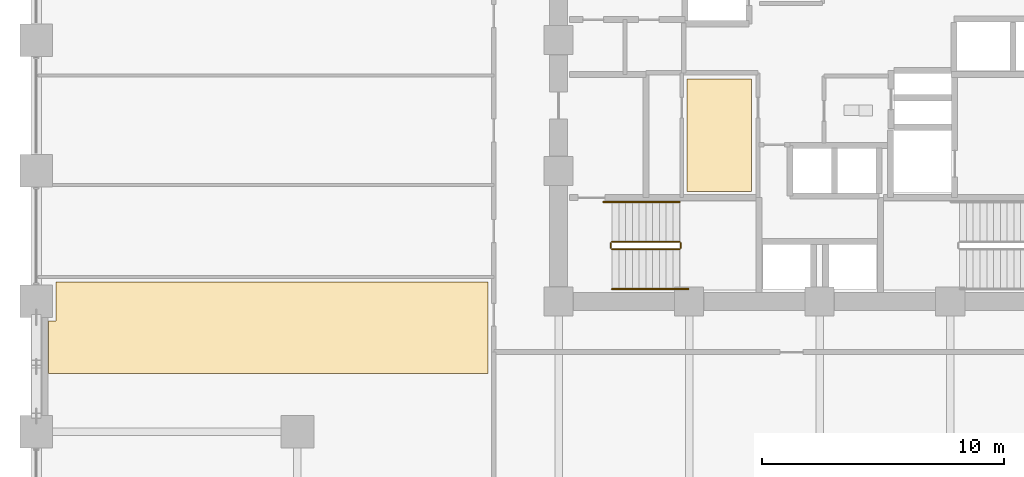
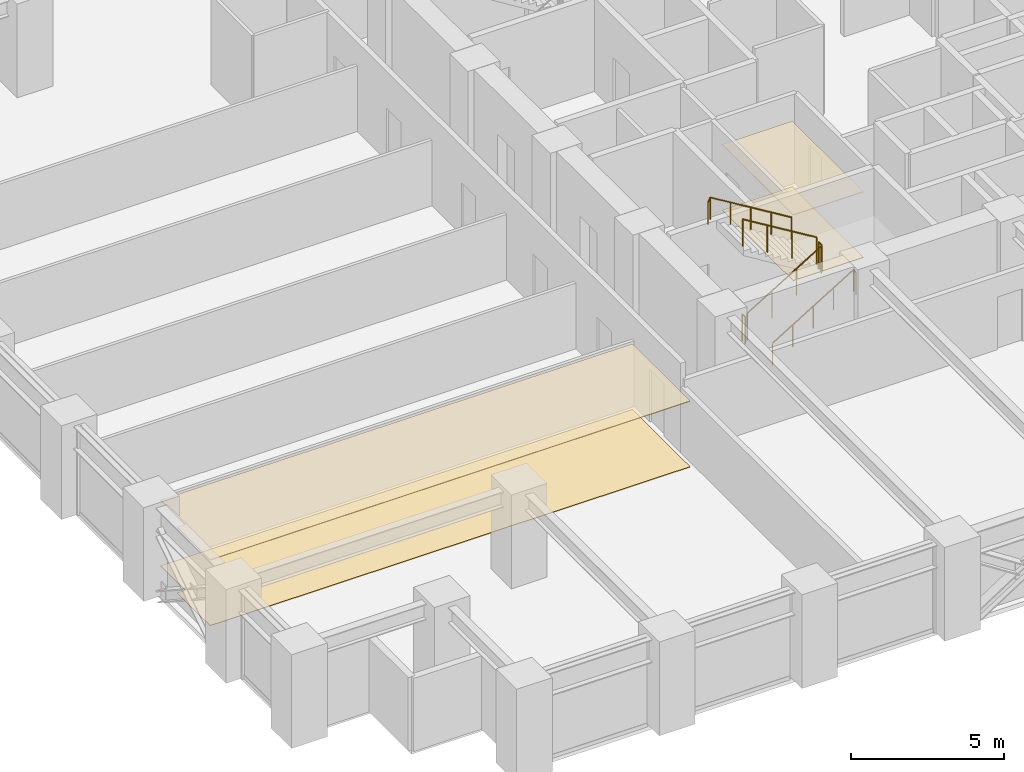
# One storey, part 23 of 25: 6 railings, 4 coverings.
"""IFC4 building model written with IfcOpenShell, lengths in metres."""

import ifcopenshell
import ifcopenshell.guid

model = None  # the IFC model being written
_history = None  # IfcOwnerHistory: only IFC2X3 demands one
_inside = {}  # id of a spatial element -> (the spatial element, [elements in it])
_under = {}  # id of a project, library or spatial element -> (it, [spatial elements below it])
_declared = {}  # id of a project -> (the project, [libraries it declares])
_typed = {}  # id of a type object -> (the type object, [elements of that type])
_made_of = {}  # id of a material, layer set ... -> (it, [elements and type objects made of it])


def new_model(schema):
    """Start an empty IFC model of exactly this schema.

    Asked for "IFC4X3", IfcOpenShell would pick the latest addendum, in which some entities
    have other attributes; the version numbers below select the first issue.
    IFC2X3 requires an IfcOwnerHistory on every rooted entity: one is made here for all.
    """
    global model, _history
    if schema == "IFC4X3":
        model = ifcopenshell.file(schema_version=(4, 3, 0, 0))
    else:
        model = ifcopenshell.file(schema=schema)
    _inside.clear()
    _under.clear()
    _declared.clear()
    _typed.clear()
    _made_of.clear()
    _history = None
    if model.schema == "IFC2X3":
        org = make("IfcOrganization", Name="unknown")
        user = make(
            "IfcPersonAndOrganization",
            ThePerson=make("IfcPerson", FamilyName="unknown"),
            TheOrganization=org,
        )
        app = make(
            "IfcApplication",
            ApplicationDeveloper=org,
            Version="unknown",
            ApplicationFullName="unknown",
            ApplicationIdentifier="unknown",
        )
        _history = make(
            "IfcOwnerHistory",
            OwningUser=user,
            OwningApplication=app,
            ChangeAction="ADDED",
            CreationDate=0,
        )
    return model


def make(cls, **values):
    """One entity of the class cls with the attributes given. An attribute that is None is left unset."""
    return model.create_entity(
        cls, **{name: value for name, value in values.items() if value is not None}
    )


def rooted(cls, **values):
    """An entity with a GlobalId (a new one), such as an element, a storey or a relation."""
    return make(cls, GlobalId=ifcopenshell.guid.new(), OwnerHistory=_history, **values)


def si_unit(unit_type, name, prefix=None):
    """IfcSIUnit, for example si_unit("LENGTHUNIT", "METRE", prefix="MILLI")."""
    return make("IfcSIUnit", UnitType=unit_type, Prefix=prefix, Name=name)


def assignment(units):
    """IfcUnitAssignment: the units of a project."""
    return None if units is None else make("IfcUnitAssignment", Units=units)


def point(xyz):
    """IfcCartesianPoint."""
    return None if xyz is None else make("IfcCartesianPoint", Coordinates=xyz)


def direction(xyz):
    """IfcDirection."""
    return None if xyz is None else make("IfcDirection", DirectionRatios=xyz)


def frame(location, z_axis=None, x_axis=None):
    """IfcAxis2Placement3D, a coordinate frame: its origin and axes. An axis left out is left unset."""
    return make(
        "IfcAxis2Placement3D",
        Location=point(location),
        Axis=direction(z_axis),
        RefDirection=direction(x_axis),
    )


def frame_2d(location, x_axis=None):
    """IfcAxis2Placement2D, a coordinate frame in the plane: its origin and x axis."""
    return make(
        "IfcAxis2Placement2D", Location=point(location), RefDirection=direction(x_axis)
    )


def origin():
    """The frame at (0, 0, 0) with its axes left unset."""
    return frame((0.0, 0.0, 0.0))


def origin_2d():
    """The frame at (0, 0) in the plane with its x axis left unset."""
    return frame_2d((0.0, 0.0))


def place(relative_to, where):
    """IfcLocalPlacement: puts the frame where relative to a parent placement (None: the world)."""
    return make(
        "IfcLocalPlacement", PlacementRelTo=relative_to, RelativePlacement=where
    )


def context(
    kind, dimensions, precision=None, world=None, true_north=None, identifier=None
):
    """IfcGeometricRepresentationContext, for example the 3D "Model" context."""
    return make(
        "IfcGeometricRepresentationContext",
        ContextIdentifier=identifier,
        ContextType=kind,
        CoordinateSpaceDimension=dimensions,
        Precision=precision,
        WorldCoordinateSystem=world,
        TrueNorth=true_north,
    )


def subcontext(parent, identifier, kind, view, scale=None):
    """IfcGeometricRepresentationSubContext, for example "Body" below "Model"."""
    return make(
        "IfcGeometricRepresentationSubContext",
        ContextIdentifier=identifier,
        ContextType=kind,
        ParentContext=parent,
        TargetScale=scale,
        TargetView=view,
    )


def project(units=None, contexts=None):
    """IfcProject with its units and contexts."""
    return rooted(
        "IfcProject",
        Name="project",
        RepresentationContexts=contexts,
        UnitsInContext=assignment(units),
    )


def spatial(cls, under=None, at=None, **own):
    """A site, building, storey or space (cls), placed at a placement, below another one or the project."""
    s = rooted(cls, ObjectPlacement=at, **own)
    if under is not None:
        _under.setdefault(under.id(), (under, []))[1].append(s)
    return s


def polyline(points):
    """IfcPolyline through the points."""
    return make("IfcPolyline", Points=[point(p) for p in points])


def profile(cls, at=None, kind="AREA", **sizes):
    """A parametric profile (cls). Its sizes go by their IFC names, for example OverallWidth=200.0."""
    return make(cls, ProfileType=kind, Position=at, **sizes)


def circle(**sizes):
    """IfcCircleProfileDef."""
    return profile("IfcCircleProfileDef", **sizes)


def outline(outer, holes=None, kind="AREA"):
    """IfcArbitraryClosedProfileDef: a profile drawn as a closed curve; with holes, ...WithVoids."""
    if holes is None:
        return make("IfcArbitraryClosedProfileDef", ProfileType=kind, OuterCurve=outer)
    return make(
        "IfcArbitraryProfileDefWithVoids",
        ProfileType=kind,
        OuterCurve=outer,
        InnerCurves=holes,
    )


def extrude(swept, where, along, depth):
    """IfcExtrudedAreaSolid: the profile swept, set in the frame where, extruded along a direction by depth."""
    return make(
        "IfcExtrudedAreaSolid",
        SweptArea=swept,
        Position=where,
        ExtrudedDirection=direction(along),
        Depth=depth,
    )


def shape(context_of_items, identifier, shape_type, items):
    """IfcShapeRepresentation: the items that make up one representation, for example the "Body"."""
    return make(
        "IfcShapeRepresentation",
        ContextOfItems=context_of_items,
        RepresentationIdentifier=identifier,
        RepresentationType=shape_type,
        Items=items,
    )


def material(Name=None, Category=None):
    """IfcMaterial."""
    return make("IfcMaterial", Name=Name, Category=Category)


def layer(
    of_material, thickness, ventilated=None, Name=None, Category=None, Priority=None
):
    """IfcMaterialLayer: one layer of a wall or slab, of a material (None: an air gap)."""
    return make(
        "IfcMaterialLayer",
        Material=of_material,
        LayerThickness=thickness,
        IsVentilated=ventilated,
        Name=Name,
        Category=Category,
        Priority=Priority,
    )


def layer_set(layers, Name=None):
    """IfcMaterialLayerSet."""
    return make("IfcMaterialLayerSet", MaterialLayers=layers, LayerSetName=Name)


def made_of(thing, what):
    """Note that an element or type object is made of a material, layer set ...; save() writes the relation."""
    if what is not None:
        _made_of.setdefault(what.id(), (what, []))[1].append(thing)
    return thing


def type_object(cls, material=None, **own):
    """A type object (cls), such as IfcWallType, which elements share."""
    return made_of(rooted(cls, **own), material)


def element(
    cls,
    number,
    at=None,
    inside=None,
    cuts=None,
    type_object=None,
    material=None,
    context=None,
    identifier="Body",
    shape_type=None,
    held_by="IfcProductDefinitionShape",
    body=None,
    shapes=None,
    **own,
):
    """One element of the class cls, such as IfcWall. Its Tag is "e" and its number.

    at: its placement. inside: the storey or other place that contains it. cuts: it is an
    opening in that element (IfcRelVoidsElement). A single representation is given by context,
    identifier, shape_type and body (its items); several are given by shapes. held_by: the class
    of the entity that holds the representations. save() writes the other relations.
    """
    e = rooted(cls, Tag="e%d" % number, ObjectPlacement=at, **own)
    if body is not None:
        shapes = [shape(context, identifier, shape_type, body)]
    if shapes is not None:
        e.Representation = make(held_by, Representations=shapes)
    if inside is not None:
        _inside.setdefault(inside.id(), (inside, []))[1].append(e)
    if cuts is not None:
        rooted(
            "IfcRelVoidsElement", RelatingBuildingElement=cuts, RelatedOpeningElement=e
        )
    if type_object is not None:
        _typed.setdefault(type_object.id(), (type_object, []))[1].append(e)
    return made_of(e, material)


def aggregate(whole, parts):
    """IfcRelAggregates: a whole, such as a stair, and the parts it consists of."""
    return rooted("IfcRelAggregates", RelatingObject=whole, RelatedObjects=parts)


def save(model, path):
    """Write the relations noted so far, then the file.

    IfcRelAggregates (storeys below a building ...), IfcRelContainedInSpatialStructure (elements
    in a storey), IfcRelDefinesByType, IfcRelAssociatesMaterial and IfcRelDeclares: one each for
    every whole, place, type object, material and project.
    """
    for whole, parts in _under.values():
        aggregate(whole, parts)
    for where, things in _inside.values():
        rooted(
            "IfcRelContainedInSpatialStructure",
            RelatedElements=things,
            RelatingStructure=where,
        )
    for kind, things in _typed.values():
        rooted("IfcRelDefinesByType", RelatedObjects=things, RelatingType=kind)
    for what, things in _made_of.values():
        rooted("IfcRelAssociatesMaterial", RelatedObjects=things, RelatingMaterial=what)
    for by, libraries in _declared.values():
        rooted("IfcRelDeclares", RelatingContext=by, RelatedDefinitions=libraries)
    model.write(path)


model = new_model("IFC4")

# Units and contexts
model_context = context("Model", 3, precision=1e-05, world=origin(), true_north=direction((0.0, 1.0)))
body_context = subcontext(model_context, "Body", "Model", "MODEL_VIEW")
ifc_project = project(units=[si_unit("LENGTHUNIT", "METRE"), si_unit("AREAUNIT", "SQUARE_METRE"), si_unit("VOLUMEUNIT", "CUBIC_METRE"), si_unit("PLANEANGLEUNIT", "RADIAN"), si_unit("MASSUNIT", "GRAM", prefix="KILO")], contexts=[model_context])

# Site, building, storey
site_placement = place(None, origin())
site = spatial("IfcSite", under=ifc_project, at=site_placement, CompositionType="ELEMENT")
building_placement = place(site_placement, origin())
building = spatial("IfcBuilding", under=site, at=building_placement, Name="Surkhivell Harbour Commons", CompositionType="ELEMENT")
storey_placement = place(building_placement, frame((0.0, 0.0, 41.25)))
storey = spatial("IfcBuildingStorey", under=building, at=storey_placement, Name="L10", CompositionType="ELEMENT", Elevation=41.25)

# Coverings
ifc_material_1 = material(Name="Perforated acoustic mineral-fibre ceiling tile", Category="other")
ifc_layer_1 = layer(ifc_material_1, 0.02490234375)
ifc_layer_set_1 = layer_set([ifc_layer_1], Name="Perforated acoustic mineral-fibre ceiling tile")
covering_type_1 = type_object("IfcCoveringType", Name="COV-CEIL-AC", PredefinedType="CEILING", material=ifc_layer_set_1)
covering_1_placement = place(storey_placement, frame((0.0, 0.0, 2.6240234375)))
element("IfcCovering", 1, at=covering_1_placement, inside=storey, type_object=covering_type_1, Name="L10 Suspended Acoustic Ceiling 1", PredefinedType="CEILING", context=body_context, shape_type="SweptSolid", body=[
    extrude(outline(polyline([(-5.47998046875, -6.260009765625), (-2.820068359375, -6.260009765625), (-2.820068359375, -1.60009765625), (-5.47998046875, -1.60009765625), (-5.47998046875, -6.260009765625)])), origin(), (0.0, 0.0, 1.0), 0.02490234375),
])
ifc_material_2 = material(Name="Moisture-resistant gypsum acoustic ceiling board", Category="other")
ifc_layer_2 = layer(ifc_material_2, 0.030029296875)
ifc_layer_set_2 = layer_set([ifc_layer_2], Name="Moisture-resistant gypsum acoustic ceiling board")
covering_type_2 = type_object("IfcCoveringType", Name="COV-CEIL-GYP", PredefinedType="CEILING", material=ifc_layer_set_2)
covering_2_placement = place(storey_placement, frame((0.0, 0.0, 2.618896484375)))
element("IfcCovering", 2, at=covering_2_placement, inside=storey, type_object=covering_type_2, Name="L10 Suspended Acoustic Ceiling 2", PredefinedType="CEILING", context=body_context, shape_type="SweptSolid", body=[
    extrude(outline(polyline([(-31.5849609375, -10.00244140625), (-31.5849609375, -11.614990234375), (-31.889892578125, -11.614990234375), (-31.889892578125, -13.780029296875), (-13.719970703125, -13.780029296875), (-13.719970703125, -10.00244140625), (-31.5849609375, -10.00244140625)])), origin(), (0.0, 0.0, 1.0), 0.030029296875),
])
ifc_material_3 = material(Name="Engineered acoustic oak timber flooring", Category="wood")
ifc_layer_3 = layer(ifc_material_3, 0.02001953125)
ifc_layer_set_3 = layer_set([ifc_layer_3], Name="Engineered acoustic oak timber flooring")
covering_type_3 = type_object("IfcCoveringType", Name="COV-FLR-TIM", PredefinedType="FLOORING", material=ifc_layer_set_3)
covering_3_placement = place(storey_placement, origin())
element("IfcCovering", 3, at=covering_3_placement, inside=storey, type_object=covering_type_3, Name="L10 Interior Floor Finish 1", PredefinedType="FLOORING", context=body_context, shape_type="SweptSolid", body=[
    extrude(outline(polyline([(-5.47998046875, -6.260009765625), (-2.820068359375, -6.260009765625), (-2.820068359375, -1.60009765625), (-5.47998046875, -1.60009765625), (-5.47998046875, -6.260009765625)])), origin(), (0.0, 0.0, 1.0), 0.02001953125),
])
covering_4_placement = place(storey_placement, origin())
element("IfcCovering", 4, at=covering_4_placement, inside=storey, type_object=covering_type_3, Name="L10 Interior Floor Finish 2", PredefinedType="FLOORING", context=body_context, shape_type="SweptSolid", body=[
    extrude(outline(polyline([(-31.5849609375, -10.00244140625), (-31.5849609375, -11.614990234375), (-31.889892578125, -11.614990234375), (-31.889892578125, -13.780029296875), (-13.719970703125, -13.780029296875), (-13.719970703125, -10.00244140625), (-31.5849609375, -10.00244140625)])), origin(), (0.0, 0.0, 1.0), 0.02001953125),
])

# Railings
ifc_material_4 = material(Name="Galvanised and painted steel S355 guard rail", Category="steel")
railing_type_1 = type_object("IfcRailingType", Name="RAL-ST-GRD1100", PredefinedType="GUARDRAIL", material=ifc_material_4)
railing_1_placement = place(storey_placement, frame((-8.590087890625, -8.639892578125, 0.17041015625)))
element("IfcRailing", 5, at=railing_1_placement, inside=storey, type_object=railing_type_1, Name="L10 ST3 stair guard 1", PredefinedType="GUARDRAIL", context=body_context, shape_type="SweptSolid", body=[
    extrude(circle(Radius=0.02392578125, at=origin_2d()), frame((0.0, 0.0, 1.076171875), z_axis=(0.854169791009, 0.0, 0.51999420009), x_axis=(0.0, 1.0, 0.0)), (0.0, 0.0, 1.0), 3.278076171875),
    extrude(circle(Radius=0.02099609375, at=origin_2d()), origin(), (0.0, 0.0, 1.0), 1.052001953125),
    extrude(circle(Radius=0.02099609375, at=origin_2d()), frame((0.933349609375, 0.0, 0.568115234375)), (0.0, 0.0, 1.0), 1.052001953125),
    extrude(circle(Radius=0.02099609375, at=origin_2d()), frame((1.86669921875, 0.0, 1.136474609375)), (0.0, 0.0, 1.0), 1.052001953125),
    extrude(circle(Radius=0.02099609375, at=origin_2d()), frame((2.800048828125, 0.0, 1.70458984375)), (0.0, 0.0, 1.0), 1.052001953125),
])
railing_2_placement = place(storey_placement, frame((-5.739990234375, -8.590087890625, 1.875)))
element("IfcRailing", 6, at=railing_2_placement, inside=storey, type_object=railing_type_1, Name="L10 ST3 stair guard 2", PredefinedType="GUARDRAIL", context=body_context, shape_type="SweptSolid", body=[
    extrude(circle(Radius=0.02392578125, at=origin_2d()), frame((0.0, 0.0, 1.076171875), z_axis=(0.0, 1.0, 0.0), x_axis=(-1.0, 0.0, 0.0)), (0.0, 0.0, 1.0), 0.2001953125),
    extrude(circle(Radius=0.02099609375, at=origin_2d()), origin(), (0.0, 0.0, 1.0), 1.052001953125),
    extrude(circle(Radius=0.02099609375, at=origin_2d()), frame((0.0, 0.2001953125, 0.0)), (0.0, 0.0, 1.0), 1.052001953125),
])
railing_3_placement = place(storey_placement, frame((-5.7900390625, -8.340087890625, 2.04541015625)))
element("IfcRailing", 7, at=railing_3_placement, inside=storey, type_object=railing_type_1, Name="L10 ST3 stair guard 3", PredefinedType="GUARDRAIL", context=body_context, shape_type="SweptSolid", body=[
    extrude(circle(Radius=0.02392578125, at=origin_2d()), frame((0.0, 0.0, 1.076171875), z_axis=(-0.854169791009, 0.0, 0.51999420009), x_axis=(0.0, -1.0, 0.0)), (0.0, 0.0, 1.0), 3.278076171875),
    extrude(circle(Radius=0.02099609375, at=origin_2d()), origin(), (0.0, 0.0, 1.0), 1.052001953125),
    extrude(circle(Radius=0.02099609375, at=origin_2d()), frame((-0.933349609375, 0.0, 0.568115234375)), (0.0, 0.0, 1.0), 1.052001953125),
    extrude(circle(Radius=0.02099609375, at=origin_2d()), frame((-1.86669921875, 0.0, 1.136474609375)), (0.0, 0.0, 1.0), 1.052001953125),
    extrude(circle(Radius=0.02099609375, at=origin_2d()), frame((-2.800048828125, 0.0, 1.70458984375)), (0.0, 0.0, 1.0), 1.052001953125),
])
railing_4_placement = place(storey_placement, frame((-8.639892578125, -8.590087890625, 0.0)))
element("IfcRailing", 8, at=railing_4_placement, inside=storey, type_object=railing_type_1, Name="L10 ST3 stair guard 4", PredefinedType="GUARDRAIL", context=body_context, shape_type="SweptSolid", body=[
    extrude(circle(Radius=0.02392578125, at=origin_2d()), frame((0.0, 0.0, 1.076171875), z_axis=(0.0, 1.0, 0.0), x_axis=(-1.0, 0.0, 0.0)), (0.0, 0.0, 1.0), 0.2001953125),
    extrude(circle(Radius=0.02099609375, at=origin_2d()), origin(), (0.0, 0.0, 1.0), 1.052001953125),
    extrude(circle(Radius=0.02099609375, at=origin_2d()), frame((0.0, 0.2001953125, 0.0)), (0.0, 0.0, 1.0), 1.052001953125),
])
ifc_material_5 = material(Name="Brushed stainless steel S355 handrail", Category="steel")
railing_type_2 = type_object("IfcRailingType", Name="RAL-ST-HND900", PredefinedType="HANDRAIL", material=ifc_material_5)
railing_5_placement = place(storey_placement, frame((-8.590087890625, -10.2900390625, 0.17041015625)))
element("IfcRailing", 9, at=railing_5_placement, inside=storey, type_object=railing_type_2, Name="L10 ST3 stair handrail 1", PredefinedType="HANDRAIL", context=body_context, shape_type="SweptSolid", body=[
    extrude(circle(Radius=0.02392578125, at=origin_2d()), frame((0.0, 0.0, 0.8759765625), z_axis=(0.854177636135, 0.0, 0.519981313056), x_axis=(0.0, 1.0, 0.0)), (0.0, 0.0, 1.0), 3.60595703125),
    extrude(circle(Radius=0.02392578125, at=origin_2d()), frame((3.080078125, 0.0, 2.7509765625), z_axis=(0.425297416671, 0.0, -0.905053648892), x_axis=(0.0, 1.0, 0.0)), (0.0, 0.0, 1.0), 0.188232421875),
    extrude(circle(Radius=0.02099609375, at=origin_2d()), origin(), (0.0, 0.0, 1.0), 0.851806640625),
    extrude(circle(Radius=0.02099609375, at=origin_2d()), frame((0.77001953125, 0.0, 0.46875)), (0.0, 0.0, 1.0), 0.851806640625),
    extrude(circle(Radius=0.02099609375, at=origin_2d()), frame((1.5400390625, 0.0, 0.9375)), (0.0, 0.0, 1.0), 0.851806640625),
    extrude(circle(Radius=0.02099609375, at=origin_2d()), frame((2.31005859375, 0.0, 1.40625)), (0.0, 0.0, 1.0), 0.851806640625),
    extrude(circle(Radius=0.02099609375, at=origin_2d()), frame((3.080078125, 0.0, 1.875)), (0.0, 0.0, 1.0), 0.851806640625),
    extrude(circle(Radius=0.02099609375, at=origin_2d()), frame((3.16015625, 0.0, 1.70458984375)), (0.0, 0.0, 1.0), 0.851806640625),
])
railing_6_placement = place(storey_placement, frame((-5.7900390625, -6.68994140625, 2.04541015625)))
element("IfcRailing", 10, at=railing_6_placement, inside=storey, type_object=railing_type_2, Name="L10 ST3 stair handrail 2", PredefinedType="HANDRAIL", context=body_context, shape_type="SweptSolid", body=[
    extrude(circle(Radius=0.02392578125, at=origin_2d()), frame((0.0, 0.0, 0.8759765625), z_axis=(-0.854177636135, 0.0, 0.519981313056), x_axis=(0.0, -1.0, 0.0)), (0.0, 0.0, 1.0), 3.60595703125),
    extrude(circle(Radius=0.02392578125, at=origin_2d()), frame((-3.080078125, 0.0, 2.7509765625), z_axis=(-0.424234432967, 0.0, -0.905552398199), x_axis=(0.0, -1.0, 0.0)), (0.0, 0.0, 1.0), 0.188232421875),
    extrude(circle(Radius=0.02099609375, at=origin_2d()), origin(), (0.0, 0.0, 1.0), 0.851806640625),
    extrude(circle(Radius=0.02099609375, at=origin_2d()), frame((-0.77001953125, 0.0, 0.46875)), (0.0, 0.0, 1.0), 0.851806640625),
    extrude(circle(Radius=0.02099609375, at=origin_2d()), frame((-1.5400390625, 0.0, 0.9375)), (0.0, 0.0, 1.0), 0.851806640625),
    extrude(circle(Radius=0.02099609375, at=origin_2d()), frame((-2.31005859375, 0.0, 1.40625)), (0.0, 0.0, 1.0), 0.851806640625),
    extrude(circle(Radius=0.02099609375, at=origin_2d()), frame((-3.080078125, 0.0, 1.875)), (0.0, 0.0, 1.0), 0.851806640625),
    extrude(circle(Radius=0.02099609375, at=origin_2d()), frame((-3.159912109375, 0.0, 1.70458984375)), (0.0, 0.0, 1.0), 0.851806640625),
])

save(model, "model.ifc")
